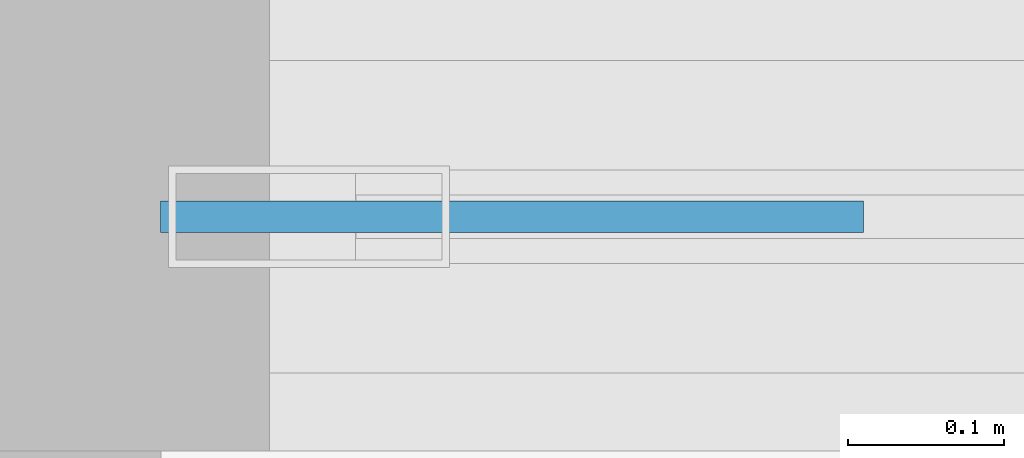
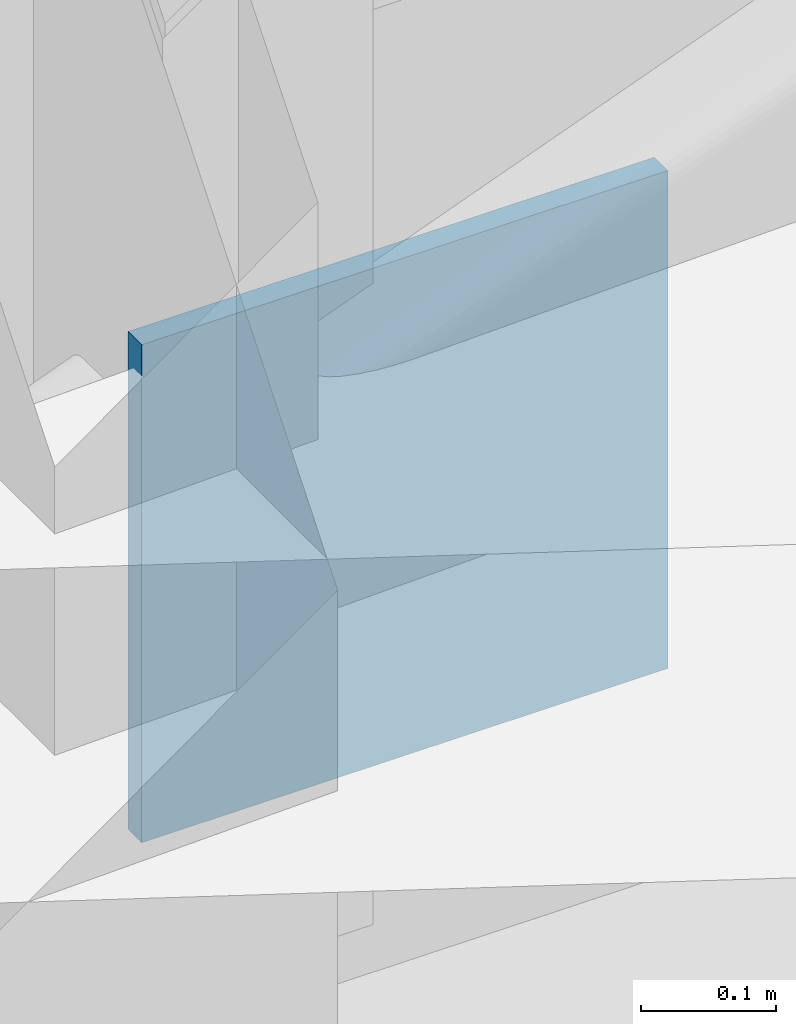
# One storey, part 67 of 86: 1 plate.
"""IFC4 building model written with IfcOpenShell, lengths in metres."""

from ifc_helpers import new_model, si_unit, direction, frame, origin, origin_2d, place, context, subcontext, project, spatial, rectangle, extrude, material, layer, layer_set, type_object, element, save


model = new_model("IFC4")

# Units and contexts
model_context = context("Model", 3, precision=1e-05, world=origin(), true_north=direction((0.0, 1.0)))
body_context = subcontext(model_context, "Body", "Model", "MODEL_VIEW")
ifc_project = project(units=[si_unit("LENGTHUNIT", "METRE"), si_unit("AREAUNIT", "SQUARE_METRE"), si_unit("VOLUMEUNIT", "CUBIC_METRE"), si_unit("PLANEANGLEUNIT", "RADIAN"), si_unit("MASSUNIT", "GRAM", prefix="KILO")], contexts=[model_context])

# Site, building, storey
site_placement = place(None, origin())
site = spatial("IfcSite", under=ifc_project, at=site_placement, CompositionType="ELEMENT")
building_placement = place(site_placement, origin())
building = spatial("IfcBuilding", under=site, at=building_placement, Name="Tasgan Crest Museum", CompositionType="ELEMENT")
storey_placement = place(building_placement, frame((0.0, 0.0, 24.0)))
storey = spatial("IfcBuildingStorey", under=building, at=storey_placement, Name="L04", CompositionType="ELEMENT", Elevation=24.0)

# Plate
ifc_material = material(Name="Steel S355K2", Category="steel")
ifc_layer = layer(ifc_material, 0.02001953125, Name="PL-GUSSET-450")
ifc_layer_set = layer_set([ifc_layer], Name="Steel S355K2")
plate_type = type_object("IfcPlateType", Name="PL-GUSSET-450", PredefinedType="USERDEFINED", material=ifc_layer_set)
plate_placement = place(storey_placement, frame((22.125, 82.0, 0.125), z_axis=(0.0, 0.0, 1.0), x_axis=(1.0, 0.0, 0.0)))
element("IfcPlate", 1, at=plate_placement, inside=storey, type_object=plate_type, Name="Diagonal gusset plate L04 J 21.6", ObjectType="GUSSET PLATE", PredefinedType="USERDEFINED", context=body_context, shape_type="SweptSolid", body=[
    extrude(rectangle(XDim=0.449951171875, YDim=0.02001953125, at=origin_2d()), origin(), (0.0, 0.0, 1.0), 0.449951171875),
])

save(model, "model.ifc")
